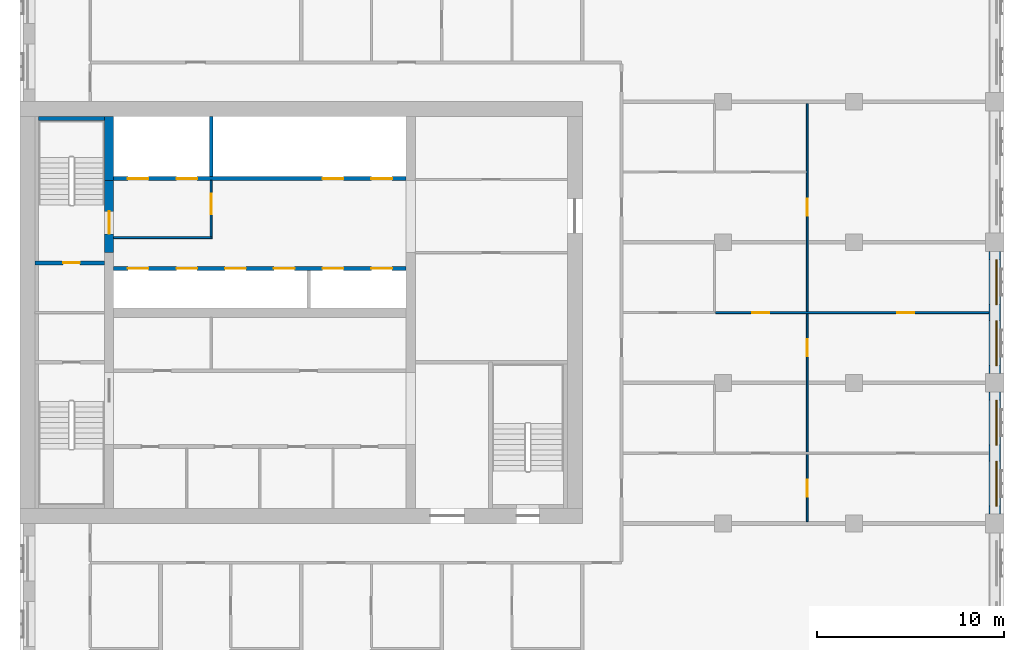
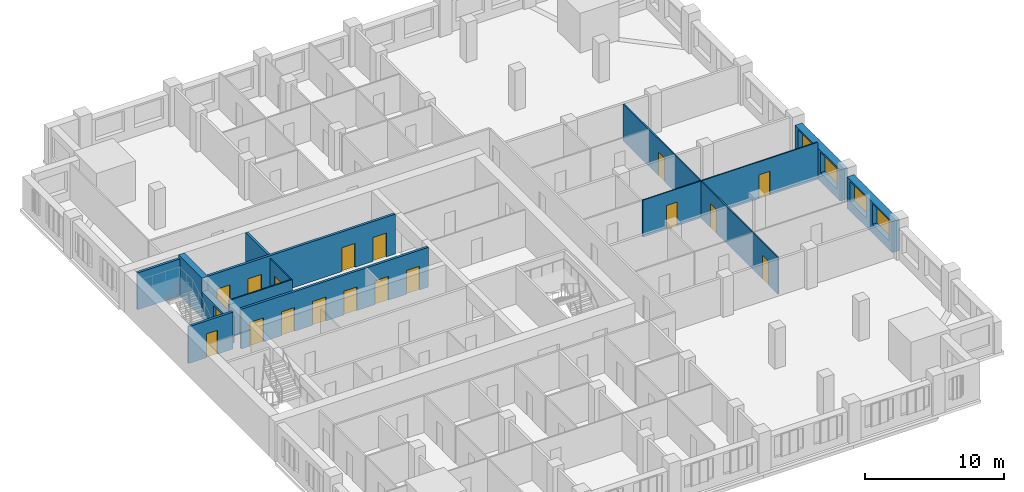
# One storey, part 9 of 14: 18 doors, 13 walls, 4 windows, 22 openings.
"""IFC4 building model written with IfcOpenShell, lengths in metres."""

from ifc_helpers import new_model, si_unit, direction, frame, frame_2d, origin, place, context, subcontext, project, spatial, rectangle, extrude, material, layer, layer_set, type_object, element, fill, save


model = new_model("IFC4")

# Units and contexts
model_context = context("Model", 3, precision=1e-05, world=origin(), true_north=direction((0.0, 1.0)))
body_context = subcontext(model_context, "Body", "Model", "MODEL_VIEW")
ifc_project = project(units=[si_unit("LENGTHUNIT", "METRE"), si_unit("AREAUNIT", "SQUARE_METRE"), si_unit("VOLUMEUNIT", "CUBIC_METRE"), si_unit("PLANEANGLEUNIT", "RADIAN"), si_unit("MASSUNIT", "GRAM", prefix="KILO")], contexts=[model_context])

# Site, building, storey
site_placement = place(None, origin())
site = spatial("IfcSite", under=ifc_project, at=site_placement, CompositionType="ELEMENT")
building_placement = place(site_placement, origin())
building = spatial("IfcBuilding", under=site, at=building_placement, Name="Tamorin Gate", CompositionType="ELEMENT")
storey_placement = place(building_placement, frame((0.0, 0.0, 200.199951171875)))
storey = spatial("IfcBuildingStorey", under=building, at=storey_placement, Name="L49", CompositionType="ELEMENT", Elevation=200.199951171875)

# Wall, openings, windows
ifc_material_1 = material(Name="Precast concrete C40/50", Category="concrete")
ifc_layer_1 = layer(ifc_material_1, 0.60009765625)
ifc_layer_set_1 = layer_set([ifc_layer_1], Name="Precast concrete C40/50")
wall_type_1 = type_object("IfcWallType", Name="Board-marked concrete facade panel 600", PredefinedType="SOLIDWALL", material=ifc_layer_set_1)
wall_1_placement = place(storey_placement, frame((82.0, 60.5, 0.0), z_axis=(0.0, 0.0, 1.0), x_axis=(0.0, 1.0, 0.0)))
wall_1 = element("IfcWall", 1, at=wall_1_placement, inside=storey, type_object=wall_type_1, Name="Facade panel", PredefinedType="SOLIDWALL", context=body_context, shape_type="SweptSolid", body=[
    extrude(rectangle(XDim=6.5, YDim=0.60009765625, at=frame_2d((3.25, 0.0))), origin(), (0.0, 0.0, 1.0), 2.75),
])
opening_1_placement = place(wall_1_placement, frame((0.425048828125, 0.0, 0.800048828125)))
opening_1 = element("IfcOpeningElement", 2, at=opening_1_placement, cuts=wall_1, Name="Opening WN1", PredefinedType="OPENING", context=body_context, shape_type="SweptSolid", body=[
    extrude(rectangle(XDim=2.39990234375, YDim=1.800048828125, at=frame_2d((1.199951171875, 0.89990234375))), frame((0.0, 0.31005859375, 0.0), z_axis=(0.0, -1.0, 0.0), x_axis=(1.0, 0.0, 0.0)), (0.0, 0.0, 1.0), 0.6201171875),
])
opening_2_placement = place(wall_1_placement, frame((3.675048828125, 0.0, 0.800048828125)))
opening_2 = element("IfcOpeningElement", 3, at=opening_2_placement, cuts=wall_1, Name="Opening WN1", PredefinedType="OPENING", context=body_context, shape_type="SweptSolid", body=[
    extrude(rectangle(XDim=2.39990234375, YDim=1.800048828125, at=frame_2d((1.199951171875, 0.89990234375))), frame((0.0, 0.31005859375, 0.0), z_axis=(0.0, -1.0, 0.0), x_axis=(1.0, 0.0, 0.0)), (0.0, 0.0, 1.0), 0.6201171875),
])
ifc_material_2 = material(Name="Clear glass in aluminium frame", Category="aluminium")
window_type = type_object("IfcWindowType", Name="Deep-set window 2400x1800", PartitioningType="SINGLE_PANEL", PredefinedType="WINDOW", material=ifc_material_2)
window_1_placement = place(opening_1_placement, origin())
window_1 = element("IfcWindow", 4, at=window_1_placement, inside=storey, type_object=window_type, Name="Deep-set window", OverallHeight=1.800048828125, OverallWidth=2.39990234375, PartitioningType="SINGLE_PANEL", PredefinedType="WINDOW", context=body_context, shape_type="SweptSolid", body=[
    extrude(rectangle(XDim=2.39990234375, YDim=1.800048828125, at=frame_2d((1.199951171875, 0.89990234375))), frame((0.0, -0.070068359375, 0.0), z_axis=(0.0, -1.0, 0.0), x_axis=(1.0, 0.0, 0.0)), (0.0, 0.0, 1.0), 0.06005859375),
])
fill(opening_1, window_1)
window_2_placement = place(opening_2_placement, origin())
window_2 = element("IfcWindow", 5, at=window_2_placement, inside=storey, type_object=window_type, Name="Deep-set window", OverallHeight=1.800048828125, OverallWidth=2.39990234375, PartitioningType="SINGLE_PANEL", PredefinedType="WINDOW", context=body_context, shape_type="SweptSolid", body=[
    extrude(rectangle(XDim=2.39990234375, YDim=1.800048828125, at=frame_2d((1.199951171875, 0.89990234375))), frame((0.0, -0.070068359375, 0.0), z_axis=(0.0, -1.0, 0.0), x_axis=(1.0, 0.0, 0.0)), (0.0, 0.0, 1.0), 0.06005859375),
])
fill(opening_2, window_2)

wall_2_placement = place(storey_placement, frame((82.0, 68.0, 0.0), z_axis=(0.0, 0.0, 1.0), x_axis=(0.0, 1.0, 0.0)))
wall_2 = element("IfcWall", 6, at=wall_2_placement, inside=storey, type_object=wall_type_1, Name="Facade panel", PredefinedType="SOLIDWALL", context=body_context, shape_type="SweptSolid", body=[
    extrude(rectangle(XDim=6.5, YDim=0.60009765625, at=frame_2d((3.25, 0.0))), origin(), (0.0, 0.0, 1.0), 2.75),
])
opening_3_placement = place(wall_2_placement, frame((0.425048828125, 0.0, 0.800048828125)))
opening_3 = element("IfcOpeningElement", 7, at=opening_3_placement, cuts=wall_2, Name="Opening WN1", PredefinedType="OPENING", context=body_context, shape_type="SweptSolid", body=[
    extrude(rectangle(XDim=2.39990234375, YDim=1.800048828125, at=frame_2d((1.199951171875, 0.89990234375))), frame((0.0, 0.31005859375, 0.0), z_axis=(0.0, -1.0, 0.0), x_axis=(1.0, 0.0, 0.0)), (0.0, 0.0, 1.0), 0.6201171875),
])
opening_4_placement = place(wall_2_placement, frame((3.675048828125, 0.0, 0.800048828125)))
opening_4 = element("IfcOpeningElement", 8, at=opening_4_placement, cuts=wall_2, Name="Opening WN1", PredefinedType="OPENING", context=body_context, shape_type="SweptSolid", body=[
    extrude(rectangle(XDim=2.39990234375, YDim=1.800048828125, at=frame_2d((1.199951171875, 0.89990234375))), frame((0.0, 0.31005859375, 0.0), z_axis=(0.0, -1.0, 0.0), x_axis=(1.0, 0.0, 0.0)), (0.0, 0.0, 1.0), 0.6201171875),
])
window_3_placement = place(opening_3_placement, origin())
window_3 = element("IfcWindow", 9, at=window_3_placement, inside=storey, type_object=window_type, Name="Deep-set window", OverallHeight=1.800048828125, OverallWidth=2.39990234375, PartitioningType="SINGLE_PANEL", PredefinedType="WINDOW", context=body_context, shape_type="SweptSolid", body=[
    extrude(rectangle(XDim=2.39990234375, YDim=1.800048828125, at=frame_2d((1.199951171875, 0.89990234375))), frame((0.0, -0.070068359375, 0.0), z_axis=(0.0, -1.0, 0.0), x_axis=(1.0, 0.0, 0.0)), (0.0, 0.0, 1.0), 0.06005859375),
])
fill(opening_3, window_3)
window_4_placement = place(opening_4_placement, origin())
window_4 = element("IfcWindow", 10, at=window_4_placement, inside=storey, type_object=window_type, Name="Deep-set window", OverallHeight=1.800048828125, OverallWidth=2.39990234375, PartitioningType="SINGLE_PANEL", PredefinedType="WINDOW", context=body_context, shape_type="SweptSolid", body=[
    extrude(rectangle(XDim=2.39990234375, YDim=1.800048828125, at=frame_2d((1.199951171875, 0.89990234375))), frame((0.0, -0.070068359375, 0.0), z_axis=(0.0, -1.0, 0.0), x_axis=(1.0, 0.0, 0.0)), (0.0, 0.0, 1.0), 0.06005859375),
])
fill(opening_4, window_4)

# Wall, openings, doors
ifc_material_3 = material(Name="Concrete C32/40", Category="concrete")
ifc_layer_2 = layer(ifc_material_3, 0.199951171875)
ifc_layer_set_2 = layer_set([ifc_layer_2], Name="Lift lobby face wall 200 EI 120")
wall_type_2 = type_object("IfcWallType", Name="Lift lobby face wall 200 EI 120", PredefinedType="SOLIDWALL", material=ifc_layer_set_2)
wall_3_placement = place(storey_placement, frame((35.0, 73.60009765625, 0.0), z_axis=(0.0, 0.0, 1.0), x_axis=(1.0, 0.0, 0.0)))
wall_3 = element("IfcWall", 11, at=wall_3_placement, inside=storey, type_object=wall_type_2, Name="Lift lobby face wall", PredefinedType="SOLIDWALL", context=body_context, shape_type="SweptSolid", body=[
    extrude(rectangle(XDim=15.60009765625, YDim=0.199951171875, at=frame_2d((7.800048828125, 0.0))), origin(), (0.0, 0.0, 1.0), 3.5),
])
opening_5_placement = place(wall_3_placement, frame((0.75, 0.0, 0.0)))
opening_5 = element("IfcOpeningElement", 12, at=opening_5_placement, cuts=wall_3, Name="Opening LD11", PredefinedType="OPENING", context=body_context, shape_type="SweptSolid", body=[
    extrude(rectangle(XDim=1.10009765625, YDim=2.10009765625, at=frame_2d((0.550048828125, 1.050048828125))), frame((0.0, 0.10986328125, 0.0), z_axis=(0.0, -1.0, 0.0), x_axis=(1.0, 0.0, 0.0)), (0.0, 0.0, 1.0), 0.219970703125),
])
opening_6_placement = place(wall_3_placement, frame((3.35009765625, 0.0, 0.0)))
opening_6 = element("IfcOpeningElement", 13, at=opening_6_placement, cuts=wall_3, Name="Opening LD12", PredefinedType="OPENING", context=body_context, shape_type="SweptSolid", body=[
    extrude(rectangle(XDim=1.10009765625, YDim=2.10009765625, at=frame_2d((0.550048828125, 1.050048828125))), frame((0.0, 0.10986328125, 0.0), z_axis=(0.0, -1.0, 0.0), x_axis=(1.0, 0.0, 0.0)), (0.0, 0.0, 1.0), 0.219970703125),
])
opening_7_placement = place(wall_3_placement, frame((5.949951171875, 0.0, 0.0)))
opening_7 = element("IfcOpeningElement", 14, at=opening_7_placement, cuts=wall_3, Name="Opening LD13", PredefinedType="OPENING", context=body_context, shape_type="SweptSolid", body=[
    extrude(rectangle(XDim=1.10009765625, YDim=2.10009765625, at=frame_2d((0.550048828125, 1.050048828125))), frame((0.0, 0.10986328125, 0.0), z_axis=(0.0, -1.0, 0.0), x_axis=(1.0, 0.0, 0.0)), (0.0, 0.0, 1.0), 0.219970703125),
])
opening_8_placement = place(wall_3_placement, frame((8.550048828125, 0.0, 0.0)))
opening_8 = element("IfcOpeningElement", 15, at=opening_8_placement, cuts=wall_3, Name="Opening LD14", PredefinedType="OPENING", context=body_context, shape_type="SweptSolid", body=[
    extrude(rectangle(XDim=1.10009765625, YDim=2.10009765625, at=frame_2d((0.550048828125, 1.050048828125))), frame((0.0, 0.10986328125, 0.0), z_axis=(0.0, -1.0, 0.0), x_axis=(1.0, 0.0, 0.0)), (0.0, 0.0, 1.0), 0.219970703125),
])
opening_9_placement = place(wall_3_placement, frame((11.14990234375, 0.0, 0.0)))
opening_9 = element("IfcOpeningElement", 16, at=opening_9_placement, cuts=wall_3, Name="Opening LD15", PredefinedType="OPENING", context=body_context, shape_type="SweptSolid", body=[
    extrude(rectangle(XDim=1.10009765625, YDim=2.10009765625, at=frame_2d((0.550048828125, 1.050048828125))), frame((0.0, 0.10986328125, 0.0), z_axis=(0.0, -1.0, 0.0), x_axis=(1.0, 0.0, 0.0)), (0.0, 0.0, 1.0), 0.219970703125),
])
opening_10_placement = place(wall_3_placement, frame((13.75, 0.0, 0.0)))
opening_10 = element("IfcOpeningElement", 17, at=opening_10_placement, cuts=wall_3, Name="Opening LD16", PredefinedType="OPENING", context=body_context, shape_type="SweptSolid", body=[
    extrude(rectangle(XDim=1.10009765625, YDim=2.10009765625, at=frame_2d((0.550048828125, 1.050048828125))), frame((0.0, 0.10986328125, 0.0), z_axis=(0.0, -1.0, 0.0), x_axis=(1.0, 0.0, 0.0)), (0.0, 0.0, 1.0), 0.219970703125),
])
ifc_material_4 = material(Name="Stainless steel sliding door", Category="steel")
door_type_1 = type_object("IfcDoorType", Name="Lift landing door 1100 x 2100 E 90", OperationType="DOUBLE_DOOR_SLIDING", PredefinedType="DOOR", material=ifc_material_4)
door_1_placement = place(opening_5_placement, origin())
door_1 = element("IfcDoor", 18, at=door_1_placement, inside=storey, type_object=door_type_1, Name="HR1 landing door", OperationType="DOUBLE_DOOR_SLIDING", OverallHeight=2.10009765625, OverallWidth=1.10009765625, PredefinedType="DOOR", context=body_context, shape_type="SweptSolid", body=[
    extrude(rectangle(XDim=1.10009765625, YDim=2.10009765625, at=frame_2d((0.550048828125, 1.050048828125))), frame((0.0, 0.02490234375, 0.0), z_axis=(0.0, -1.0, 0.0), x_axis=(1.0, 0.0, 0.0)), (0.0, 0.0, 1.0), 0.050048828125),
])
fill(opening_5, door_1)
door_2_placement = place(opening_6_placement, origin())
door_2 = element("IfcDoor", 19, at=door_2_placement, inside=storey, type_object=door_type_1, Name="HR2 landing door", OperationType="DOUBLE_DOOR_SLIDING", OverallHeight=2.10009765625, OverallWidth=1.10009765625, PredefinedType="DOOR", context=body_context, shape_type="SweptSolid", body=[
    extrude(rectangle(XDim=1.10009765625, YDim=2.10009765625, at=frame_2d((0.550048828125, 1.050048828125))), frame((0.0, 0.02490234375, 0.0), z_axis=(0.0, -1.0, 0.0), x_axis=(1.0, 0.0, 0.0)), (0.0, 0.0, 1.0), 0.050048828125),
])
fill(opening_6, door_2)
door_3_placement = place(opening_7_placement, origin())
door_3 = element("IfcDoor", 20, at=door_3_placement, inside=storey, type_object=door_type_1, Name="HR3 landing door", OperationType="DOUBLE_DOOR_SLIDING", OverallHeight=2.10009765625, OverallWidth=1.10009765625, PredefinedType="DOOR", context=body_context, shape_type="SweptSolid", body=[
    extrude(rectangle(XDim=1.10009765625, YDim=2.10009765625, at=frame_2d((0.550048828125, 1.050048828125))), frame((0.0, 0.02490234375, 0.0), z_axis=(0.0, -1.0, 0.0), x_axis=(1.0, 0.0, 0.0)), (0.0, 0.0, 1.0), 0.050048828125),
])
fill(opening_7, door_3)
door_4_placement = place(opening_8_placement, origin())
door_4 = element("IfcDoor", 21, at=door_4_placement, inside=storey, type_object=door_type_1, Name="HR4 landing door", OperationType="DOUBLE_DOOR_SLIDING", OverallHeight=2.10009765625, OverallWidth=1.10009765625, PredefinedType="DOOR", context=body_context, shape_type="SweptSolid", body=[
    extrude(rectangle(XDim=1.10009765625, YDim=2.10009765625, at=frame_2d((0.550048828125, 1.050048828125))), frame((0.0, 0.02490234375, 0.0), z_axis=(0.0, -1.0, 0.0), x_axis=(1.0, 0.0, 0.0)), (0.0, 0.0, 1.0), 0.050048828125),
])
fill(opening_8, door_4)
door_5_placement = place(opening_9_placement, origin())
door_5 = element("IfcDoor", 22, at=door_5_placement, inside=storey, type_object=door_type_1, Name="HR5 landing door", OperationType="DOUBLE_DOOR_SLIDING", OverallHeight=2.10009765625, OverallWidth=1.10009765625, PredefinedType="DOOR", context=body_context, shape_type="SweptSolid", body=[
    extrude(rectangle(XDim=1.10009765625, YDim=2.10009765625, at=frame_2d((0.550048828125, 1.050048828125))), frame((0.0, 0.02490234375, 0.0), z_axis=(0.0, -1.0, 0.0), x_axis=(1.0, 0.0, 0.0)), (0.0, 0.0, 1.0), 0.050048828125),
])
fill(opening_9, door_5)
door_6_placement = place(opening_10_placement, origin())
door_6 = element("IfcDoor", 23, at=door_6_placement, inside=storey, type_object=door_type_1, Name="HR6 landing door", OperationType="DOUBLE_DOOR_SLIDING", OverallHeight=2.10009765625, OverallWidth=1.10009765625, PredefinedType="DOOR", context=body_context, shape_type="SweptSolid", body=[
    extrude(rectangle(XDim=1.10009765625, YDim=2.10009765625, at=frame_2d((0.550048828125, 1.050048828125))), frame((0.0, 0.02490234375, 0.0), z_axis=(0.0, -1.0, 0.0), x_axis=(1.0, 0.0, 0.0)), (0.0, 0.0, 1.0), 0.050048828125),
])
fill(opening_10, door_6)

wall_4_placement = place(storey_placement, frame((35.0, 78.39990234375, 0.0), z_axis=(0.0, 0.0, 1.0), x_axis=(1.0, 0.0, 0.0)))
wall_4 = element("IfcWall", 24, at=wall_4_placement, inside=storey, type_object=wall_type_2, Name="Lift lobby face wall", PredefinedType="SOLIDWALL", context=body_context, shape_type="SweptSolid", body=[
    extrude(rectangle(XDim=15.60009765625, YDim=0.199951171875, at=frame_2d((7.800048828125, 0.0))), origin(), (0.0, 0.0, 1.0), 3.5),
])
opening_11_placement = place(wall_4_placement, frame((0.75, 0.0, 0.0)))
opening_11 = element("IfcOpeningElement", 25, at=opening_11_placement, cuts=wall_4, Name="Opening LD17", PredefinedType="OPENING", context=body_context, shape_type="SweptSolid", body=[
    extrude(rectangle(XDim=1.10009765625, YDim=2.10009765625, at=frame_2d((0.550048828125, 1.050048828125))), frame((0.0, 0.10986328125, 0.0), z_axis=(0.0, -1.0, 0.0), x_axis=(1.0, 0.0, 0.0)), (0.0, 0.0, 1.0), 0.219970703125),
])
opening_12_placement = place(wall_4_placement, frame((3.35009765625, 0.0, 0.0)))
opening_12 = element("IfcOpeningElement", 26, at=opening_12_placement, cuts=wall_4, Name="Opening LD18", PredefinedType="OPENING", context=body_context, shape_type="SweptSolid", body=[
    extrude(rectangle(XDim=1.10009765625, YDim=2.10009765625, at=frame_2d((0.550048828125, 1.050048828125))), frame((0.0, 0.10986328125, 0.0), z_axis=(0.0, -1.0, 0.0), x_axis=(1.0, 0.0, 0.0)), (0.0, 0.0, 1.0), 0.219970703125),
])
opening_13_placement = place(wall_4_placement, frame((11.14990234375, 0.0, 0.0)))
opening_13 = element("IfcOpeningElement", 27, at=opening_13_placement, cuts=wall_4, Name="Opening LD21", PredefinedType="OPENING", context=body_context, shape_type="SweptSolid", body=[
    extrude(rectangle(XDim=1.10009765625, YDim=2.10009765625, at=frame_2d((0.550048828125, 1.050048828125))), frame((0.0, 0.10986328125, 0.0), z_axis=(0.0, -1.0, 0.0), x_axis=(1.0, 0.0, 0.0)), (0.0, 0.0, 1.0), 0.219970703125),
])
opening_14_placement = place(wall_4_placement, frame((13.75, 0.0, 0.0)))
opening_14 = element("IfcOpeningElement", 28, at=opening_14_placement, cuts=wall_4, Name="Opening LD22", PredefinedType="OPENING", context=body_context, shape_type="SweptSolid", body=[
    extrude(rectangle(XDim=1.10009765625, YDim=2.10009765625, at=frame_2d((0.550048828125, 1.050048828125))), frame((0.0, 0.10986328125, 0.0), z_axis=(0.0, -1.0, 0.0), x_axis=(1.0, 0.0, 0.0)), (0.0, 0.0, 1.0), 0.219970703125),
])
door_7_placement = place(opening_11_placement, origin())
door_7 = element("IfcDoor", 29, at=door_7_placement, inside=storey, type_object=door_type_1, Name="FF1 landing door", OperationType="DOUBLE_DOOR_SLIDING", OverallHeight=2.10009765625, OverallWidth=1.10009765625, PredefinedType="DOOR", context=body_context, shape_type="SweptSolid", body=[
    extrude(rectangle(XDim=1.10009765625, YDim=2.10009765625, at=frame_2d((0.550048828125, 1.050048828125))), frame((0.0, 0.02490234375, 0.0), z_axis=(0.0, -1.0, 0.0), x_axis=(1.0, 0.0, 0.0)), (0.0, 0.0, 1.0), 0.050048828125),
])
fill(opening_11, door_7)
door_8_placement = place(opening_12_placement, origin())
door_8 = element("IfcDoor", 30, at=door_8_placement, inside=storey, type_object=door_type_1, Name="FF2 landing door", OperationType="DOUBLE_DOOR_SLIDING", OverallHeight=2.10009765625, OverallWidth=1.10009765625, PredefinedType="DOOR", context=body_context, shape_type="SweptSolid", body=[
    extrude(rectangle(XDim=1.10009765625, YDim=2.10009765625, at=frame_2d((0.550048828125, 1.050048828125))), frame((0.0, 0.02490234375, 0.0), z_axis=(0.0, -1.0, 0.0), x_axis=(1.0, 0.0, 0.0)), (0.0, 0.0, 1.0), 0.050048828125),
])
fill(opening_12, door_8)
door_9_placement = place(opening_13_placement, origin())
door_9 = element("IfcDoor", 31, at=door_9_placement, inside=storey, type_object=door_type_1, Name="SV1 landing door", OperationType="DOUBLE_DOOR_SLIDING", OverallHeight=2.10009765625, OverallWidth=1.10009765625, PredefinedType="DOOR", context=body_context, shape_type="SweptSolid", body=[
    extrude(rectangle(XDim=1.10009765625, YDim=2.10009765625, at=frame_2d((0.550048828125, 1.050048828125))), frame((0.0, 0.02490234375, 0.0), z_axis=(0.0, -1.0, 0.0), x_axis=(1.0, 0.0, 0.0)), (0.0, 0.0, 1.0), 0.050048828125),
])
fill(opening_13, door_9)
door_10_placement = place(opening_14_placement, origin())
door_10 = element("IfcDoor", 32, at=door_10_placement, inside=storey, type_object=door_type_1, Name="SV2 landing door", OperationType="DOUBLE_DOOR_SLIDING", OverallHeight=2.10009765625, OverallWidth=1.10009765625, PredefinedType="DOOR", context=body_context, shape_type="SweptSolid", body=[
    extrude(rectangle(XDim=1.10009765625, YDim=2.10009765625, at=frame_2d((0.550048828125, 1.050048828125))), frame((0.0, 0.02490234375, 0.0), z_axis=(0.0, -1.0, 0.0), x_axis=(1.0, 0.0, 0.0)), (0.0, 0.0, 1.0), 0.050048828125),
])
fill(opening_14, door_10)

# Walls
ifc_layer_3 = layer(ifc_material_3, 0.199951171875)
ifc_layer_set_3 = layer_set([ifc_layer_3], Name="Lift shaft wall 200 EI 120")
wall_type_3 = type_object("IfcWallType", Name="Lift shaft wall 200 EI 120", PredefinedType="SOLIDWALL", material=ifc_layer_set_3)
wall_5_placement = place(storey_placement, frame((40.199951171875, 78.5, 0.0), z_axis=(0.0, 0.0, 1.0), x_axis=(0.0, 1.0, 0.0)))
element("IfcWall", 33, at=wall_5_placement, inside=storey, type_object=wall_type_3, Name="Lift shaft wall", PredefinedType="SOLIDWALL", context=body_context, shape_type="SweptSolid", body=[
    extrude(rectangle(XDim=3.199951171875, YDim=0.199951171875, at=frame_2d((1.60009765625, 0.0))), origin(), (0.0, 0.0, 1.0), 3.5),
])
ifc_material_5 = material(Name="Fire-rated gypsum board partition")
ifc_layer_4 = layer(ifc_material_5, 0.10009765625)
ifc_layer_set_4 = layer_set([ifc_layer_4], Name="Lobby wall 100 EI 60")
wall_type_4 = type_object("IfcWallType", Name="Lobby wall 100 EI 60", PredefinedType="PARTITIONING", material=ifc_layer_set_4)
wall_6_placement = place(storey_placement, frame((35.0, 75.25, 0.0), z_axis=(0.0, 0.0, 1.0), x_axis=(1.0, 0.0, 0.0)))
element("IfcWall", 34, at=wall_6_placement, inside=storey, type_object=wall_type_4, Name="Firefighting lobby wall", PredefinedType="PARTITIONING", context=body_context, shape_type="SweptSolid", body=[
    extrude(rectangle(XDim=5.25, YDim=0.10009765625, at=frame_2d((2.625, 0.0))), origin(), (0.0, 0.0, 1.0), 3.25),
])

# Wall, opening, door
wall_7_placement = place(storey_placement, frame((40.199951171875, 75.300048828125, 0.0), z_axis=(0.0, 0.0, 1.0), x_axis=(0.0, 1.0, 0.0)))
wall_7 = element("IfcWall", 35, at=wall_7_placement, inside=storey, type_object=wall_type_4, Name="Firefighting lobby wall", PredefinedType="PARTITIONING", context=body_context, shape_type="SweptSolid", body=[
    extrude(rectangle(XDim=3.0, YDim=0.10009765625, at=frame_2d((1.5, 0.0))), origin(), (0.0, 0.0, 1.0), 3.25),
])
opening_15_placement = place(wall_7_placement, frame((1.199951171875, 0.0, 0.0)))
opening_15 = element("IfcOpeningElement", 36, at=opening_15_placement, cuts=wall_7, Name="Opening DF1", PredefinedType="OPENING", context=body_context, shape_type="SweptSolid", body=[
    extrude(rectangle(XDim=1.10009765625, YDim=2.10009765625, at=frame_2d((0.550048828125, 1.050048828125))), frame((0.0, 0.06005859375, 0.0), z_axis=(0.0, -1.0, 0.0), x_axis=(1.0, 0.0, 0.0)), (0.0, 0.0, 1.0), 0.1201171875),
])
ifc_material_6 = material(Name="Steel fire door", Category="steel")
door_type_2 = type_object("IfcDoorType", Name="Firefighting lobby door 1100 x 2100 EI 90", OperationType="SINGLE_SWING_LEFT", PredefinedType="DOOR", material=ifc_material_6)
door_11_placement = place(opening_15_placement, origin())
door_11 = element("IfcDoor", 37, at=door_11_placement, inside=storey, type_object=door_type_2, Name="Firefighting lobby door", OperationType="SINGLE_SWING_LEFT", OverallHeight=2.10009765625, OverallWidth=1.10009765625, PredefinedType="DOOR", context=body_context, shape_type="SweptSolid", body=[
    extrude(rectangle(XDim=1.10009765625, YDim=2.10009765625, at=frame_2d((0.550048828125, 1.050048828125))), frame((0.0, 0.02490234375, 0.0), z_axis=(0.0, -1.0, 0.0), x_axis=(1.0, 0.0, 0.0)), (0.0, 0.0, 1.0), 0.050048828125),
])
fill(opening_15, door_11)

# Wall
ifc_material_7 = material(Name="Concrete C60/75", Category="concrete")
ifc_layer_5 = layer(ifc_material_7, 0.5)
ifc_layer_set_5 = layer_set([ifc_layer_5], Name="RC core internal wall 500 C60/75")
wall_type_5 = type_object("IfcWallType", Name="RC core internal wall 500 C60/75", PredefinedType="SHEAR", material=ifc_layer_set_5)
wall_8_placement = place(storey_placement, frame((34.75, 78.300048828125, 0.0), z_axis=(0.0, 0.0, 1.0), x_axis=(0.0, 1.0, 0.0)))
element("IfcWall", 38, at=wall_8_placement, inside=storey, type_object=wall_type_5, Name="Core cross wall L49", PredefinedType="SHEAR", context=body_context, shape_type="SweptSolid", body=[
    extrude(rectangle(XDim=3.39990234375, YDim=0.5, at=frame_2d((1.699951171875, 0.0))), origin(), (0.0, 0.0, 1.0), 3.5),
])

# Wall, openings, doors
ifc_material_8 = material(Name="Gypsum board partition")
ifc_layer_6 = layer(ifc_material_8, 0.10009765625)
ifc_layer_set_6 = layer_set([ifc_layer_6], Name="Room partition 100")
wall_type_6 = type_object("IfcWallType", Name="Room partition 100", PredefinedType="PARTITIONING", material=ifc_layer_set_6)
wall_9_placement = place(storey_placement, frame((67.112548828125, 71.25, 0.0), z_axis=(0.0, 0.0, 1.0), x_axis=(1.0, 0.0, 0.0)))
wall_9 = element("IfcWall", 39, at=wall_9_placement, inside=storey, type_object=wall_type_6, Name="Room partition 100", PredefinedType="PARTITIONING", context=body_context, shape_type="SweptSolid", body=[
    extrude(rectangle(XDim=14.577392578125, YDim=0.10009765625, at=frame_2d((7.28857421875, 0.0))), origin(), (0.0, 0.0, 1.0), 3.25),
])
opening_16_placement = place(wall_9_placement, frame((1.96240234375, 0.0, 0.0)))
opening_16 = element("IfcOpeningElement", 40, at=opening_16_placement, cuts=wall_9, Name="Opening DR3041", PredefinedType="OPENING", context=body_context, shape_type="SweptSolid", body=[
    extrude(rectangle(XDim=0.89990234375, YDim=2.10009765625, at=frame_2d((0.449951171875, 1.050048828125))), frame((0.0, 0.06005859375, 0.0), z_axis=(0.0, -1.0, 0.0), x_axis=(1.0, 0.0, 0.0)), (0.0, 0.0, 1.0), 0.1201171875),
])
opening_17_placement = place(wall_9_placement, frame((9.6875, 0.0, 0.0)))
opening_17 = element("IfcOpeningElement", 41, at=opening_17_placement, cuts=wall_9, Name="Opening DR3043", PredefinedType="OPENING", context=body_context, shape_type="SweptSolid", body=[
    extrude(rectangle(XDim=0.89990234375, YDim=2.10009765625, at=frame_2d((0.449951171875, 1.050048828125))), frame((0.0, 0.06005859375, 0.0), z_axis=(0.0, -1.0, 0.0), x_axis=(1.0, 0.0, 0.0)), (0.0, 0.0, 1.0), 0.1201171875),
])
ifc_material_9 = material(Name="Timber door leaf", Category="wood")
door_type_3 = type_object("IfcDoorType", Name="Door 900 x 2100", OperationType="NOTDEFINED", PredefinedType="DOOR", material=ifc_material_9)
door_12_placement = place(opening_16_placement, origin())
door_12 = element("IfcDoor", 42, at=door_12_placement, inside=storey, type_object=door_type_3, Name="Door DR3041", OperationType="SINGLE_SWING_LEFT", OverallHeight=2.10009765625, OverallWidth=0.89990234375, PredefinedType="DOOR", context=body_context, shape_type="SweptSolid", body=[
    extrude(rectangle(XDim=0.89990234375, YDim=2.10009765625, at=frame_2d((0.449951171875, 1.050048828125))), frame((0.0, 0.02490234375, 0.0), z_axis=(0.0, -1.0, 0.0), x_axis=(1.0, 0.0, 0.0)), (0.0, 0.0, 1.0), 0.050048828125),
])
fill(opening_16, door_12)
door_13_placement = place(opening_17_placement, origin())
door_13 = element("IfcDoor", 43, at=door_13_placement, inside=storey, type_object=door_type_3, Name="Door DR3043", OperationType="SINGLE_SWING_RIGHT", OverallHeight=2.10009765625, OverallWidth=0.89990234375, PredefinedType="DOOR", context=body_context, shape_type="SweptSolid", body=[
    extrude(rectangle(XDim=0.89990234375, YDim=2.10009765625, at=frame_2d((0.449951171875, 1.050048828125))), frame((0.0, 0.02490234375, 0.0), z_axis=(0.0, -1.0, 0.0), x_axis=(1.0, 0.0, 0.0)), (0.0, 0.0, 1.0), 0.050048828125),
])
fill(opening_17, door_13)

wall_10_placement = place(storey_placement, frame((72.0, 60.10009765625, 0.0), z_axis=(0.0, 0.0, 1.0), x_axis=(0.0, 1.0, 0.0)))
wall_10 = element("IfcWall", 44, at=wall_10_placement, inside=storey, type_object=wall_type_6, Name="Room partition 100", PredefinedType="PARTITIONING", context=body_context, shape_type="SweptSolid", body=[
    extrude(rectangle(XDim=22.2998046875, YDim=0.10009765625, at=frame_2d((11.14990234375, 0.0))), origin(), (0.0, 0.0, 1.0), 3.25),
])
opening_18_placement = place(wall_10_placement, frame((1.324951171875, 0.0, 0.0)))
opening_18 = element("IfcOpeningElement", 45, at=opening_18_placement, cuts=wall_10, Name="Opening DR3035", PredefinedType="OPENING", context=body_context, shape_type="SweptSolid", body=[
    extrude(rectangle(XDim=0.89990234375, YDim=2.10009765625, at=frame_2d((0.449951171875, 1.050048828125))), frame((0.0, 0.06005859375, 0.0), z_axis=(0.0, -1.0, 0.0), x_axis=(1.0, 0.0, 0.0)), (0.0, 0.0, 1.0), 0.1201171875),
])
opening_19_placement = place(wall_10_placement, frame((8.824951171875, 0.0, 0.0)))
opening_19 = element("IfcOpeningElement", 46, at=opening_19_placement, cuts=wall_10, Name="Opening DR3040", PredefinedType="OPENING", context=body_context, shape_type="SweptSolid", body=[
    extrude(rectangle(XDim=0.89990234375, YDim=2.10009765625, at=frame_2d((0.449951171875, 1.050048828125))), frame((0.0, 0.06005859375, 0.0), z_axis=(0.0, -1.0, 0.0), x_axis=(1.0, 0.0, 0.0)), (0.0, 0.0, 1.0), 0.1201171875),
])
opening_20_placement = place(wall_10_placement, frame((16.324951171875, 0.0, 0.0)))
opening_20 = element("IfcOpeningElement", 47, at=opening_20_placement, cuts=wall_10, Name="Opening DR3045", PredefinedType="OPENING", context=body_context, shape_type="SweptSolid", body=[
    extrude(rectangle(XDim=0.89990234375, YDim=2.10009765625, at=frame_2d((0.449951171875, 1.050048828125))), frame((0.0, 0.06005859375, 0.0), z_axis=(0.0, -1.0, 0.0), x_axis=(1.0, 0.0, 0.0)), (0.0, 0.0, 1.0), 0.1201171875),
])
door_14_placement = place(opening_18_placement, origin())
door_14 = element("IfcDoor", 48, at=door_14_placement, inside=storey, type_object=door_type_3, Name="Door DR3035", OperationType="SINGLE_SWING_LEFT", OverallHeight=2.10009765625, OverallWidth=0.89990234375, PredefinedType="DOOR", context=body_context, shape_type="SweptSolid", body=[
    extrude(rectangle(XDim=0.89990234375, YDim=2.10009765625, at=frame_2d((0.449951171875, 1.050048828125))), frame((0.0, 0.02490234375, 0.0), z_axis=(0.0, -1.0, 0.0), x_axis=(1.0, 0.0, 0.0)), (0.0, 0.0, 1.0), 0.050048828125),
])
fill(opening_18, door_14)
door_15_placement = place(opening_19_placement, origin())
door_15 = element("IfcDoor", 49, at=door_15_placement, inside=storey, type_object=door_type_3, Name="Door DR3040", OperationType="SINGLE_SWING_LEFT", OverallHeight=2.10009765625, OverallWidth=0.89990234375, PredefinedType="DOOR", context=body_context, shape_type="SweptSolid", body=[
    extrude(rectangle(XDim=0.89990234375, YDim=2.10009765625, at=frame_2d((0.449951171875, 1.050048828125))), frame((0.0, 0.02490234375, 0.0), z_axis=(0.0, -1.0, 0.0), x_axis=(1.0, 0.0, 0.0)), (0.0, 0.0, 1.0), 0.050048828125),
])
fill(opening_19, door_15)
door_16_placement = place(opening_20_placement, origin())
door_16 = element("IfcDoor", 50, at=door_16_placement, inside=storey, type_object=door_type_3, Name="Door DR3045", OperationType="SINGLE_SWING_LEFT", OverallHeight=2.10009765625, OverallWidth=0.89990234375, PredefinedType="DOOR", context=body_context, shape_type="SweptSolid", body=[
    extrude(rectangle(XDim=0.89990234375, YDim=2.10009765625, at=frame_2d((0.449951171875, 1.050048828125))), frame((0.0, 0.02490234375, 0.0), z_axis=(0.0, -1.0, 0.0), x_axis=(1.0, 0.0, 0.0)), (0.0, 0.0, 1.0), 0.050048828125),
])
fill(opening_20, door_16)

# Wall, opening, door
ifc_material_10 = material(Name="Concrete C40/50", Category="concrete")
ifc_layer_7 = layer(ifc_material_10, 0.199951171875)
ifc_layer_set_7 = layer_set([ifc_layer_7], Name="Stair enclosure wall 200 EI 120 C40/50")
wall_type_7 = type_object("IfcWallType", Name="Stair enclosure wall 200 EI 120 C40/50", PredefinedType="SOLIDWALL", material=ifc_layer_set_7)
wall_11_placement = place(storey_placement, frame((30.800048828125, 73.89990234375, 0.0), z_axis=(0.0, 0.0, 1.0), x_axis=(1.0, 0.0, 0.0)))
wall_11 = element("IfcWall", 51, at=wall_11_placement, inside=storey, type_object=wall_type_7, Name="Stair enclosure wall", PredefinedType="SOLIDWALL", context=body_context, shape_type="SweptSolid", body=[
    extrude(rectangle(XDim=3.699951171875, YDim=0.199951171875, at=frame_2d((1.85009765625, 0.0))), origin(), (0.0, 0.0, 1.0), 3.25),
])
opening_21_placement = place(wall_11_placement, frame((1.5, 0.0, 0.0)))
opening_21 = element("IfcOpeningElement", 52, at=opening_21_placement, cuts=wall_11, Name="Opening DR1", PredefinedType="OPENING", context=body_context, shape_type="SweptSolid", body=[
    extrude(rectangle(XDim=0.89990234375, YDim=2.10009765625, at=frame_2d((0.449951171875, 1.050048828125))), frame((0.0, 0.10986328125, 0.0), z_axis=(0.0, -1.0, 0.0), x_axis=(1.0, 0.0, 0.0)), (0.0, 0.0, 1.0), 0.219970703125),
])
door_type_4 = type_object("IfcDoorType", Name="Riser access door 900 x 2100 EI 120", OperationType="SINGLE_SWING_LEFT", PredefinedType="DOOR", material=ifc_material_6)
door_17_placement = place(opening_21_placement, origin())
door_17 = element("IfcDoor", 53, at=door_17_placement, inside=storey, type_object=door_type_4, Name="Communications riser door", OperationType="SINGLE_SWING_RIGHT", OverallHeight=2.10009765625, OverallWidth=0.89990234375, PredefinedType="DOOR", context=body_context, shape_type="SweptSolid", body=[
    extrude(rectangle(XDim=0.89990234375, YDim=2.10009765625, at=frame_2d((0.449951171875, 1.050048828125))), frame((0.0, 0.02490234375, 0.0), z_axis=(0.0, -1.0, 0.0), x_axis=(1.0, 0.0, 0.0)), (0.0, 0.0, 1.0), 0.050048828125),
])
fill(opening_21, door_17)

# Wall
ifc_layer_8 = layer(ifc_material_7, 0.199951171875)
ifc_layer_set_8 = layer_set([ifc_layer_8], Name="Stair lining wall 200 EI 120 C60/75")
wall_type_8 = type_object("IfcWallType", Name="Stair lining wall 200 EI 120 C60/75", PredefinedType="SOLIDWALL", material=ifc_layer_set_8)
wall_12_placement = place(storey_placement, frame((31.0, 81.60009765625, 0.0), z_axis=(0.0, 0.0, 1.0), x_axis=(1.0, 0.0, 0.0)))
element("IfcWall", 54, at=wall_12_placement, inside=storey, type_object=wall_type_8, Name="Stair lining wall", PredefinedType="SOLIDWALL", context=body_context, shape_type="SweptSolid", body=[
    extrude(rectangle(XDim=3.5, YDim=0.199951171875, at=frame_2d((1.75, 0.0))), origin(), (0.0, 0.0, 1.0), 3.25),
])

# Wall, opening, door
ifc_layer_9 = layer(ifc_material_3, 0.5)
ifc_layer_set_9 = layer_set([ifc_layer_9], Name="Stair lobby infill wall 500 EI 120")
wall_type_9 = type_object("IfcWallType", Name="Stair lobby infill wall 500 EI 120", PredefinedType="SOLIDWALL", material=ifc_layer_set_9)
wall_13_placement = place(storey_placement, frame((34.75, 74.449951171875, 0.0), z_axis=(0.0, 0.0, 1.0), x_axis=(0.0, 1.0, 0.0)))
wall_13 = element("IfcWall", 55, at=wall_13_placement, inside=storey, type_object=wall_type_9, Name="Stair lobby infill wall", PredefinedType="SOLIDWALL", context=body_context, shape_type="SweptSolid", body=[
    extrude(rectangle(XDim=3.85009765625, YDim=0.5, at=frame_2d((1.925048828125, 0.0))), origin(), (0.0, 0.0, 1.0), 2.300048828125),
])
opening_22_placement = place(wall_13_placement, frame((1.0, 0.0, 0.0)))
opening_22 = element("IfcOpeningElement", 56, at=opening_22_placement, cuts=wall_13, Name="Opening DS1", PredefinedType="OPENING", context=body_context, shape_type="SweptSolid", body=[
    extrude(rectangle(XDim=1.199951171875, YDim=2.10009765625, at=frame_2d((0.60009765625, 1.050048828125))), frame((0.0, 0.260009765625, 0.0), z_axis=(0.0, -1.0, 0.0), x_axis=(1.0, 0.0, 0.0)), (0.0, 0.0, 1.0), 0.52001953125),
])
door_type_5 = type_object("IfcDoorType", Name="Stair door 1200 x 2100 EI 90", OperationType="SINGLE_SWING_LEFT", PredefinedType="DOOR", material=ifc_material_6)
door_18_placement = place(opening_22_placement, origin())
door_18 = element("IfcDoor", 57, at=door_18_placement, inside=storey, type_object=door_type_5, Name="ST2 door", OperationType="SINGLE_SWING_RIGHT", OverallHeight=2.10009765625, OverallWidth=1.199951171875, PredefinedType="DOOR", context=body_context, shape_type="SweptSolid", body=[
    extrude(rectangle(XDim=1.199951171875, YDim=2.10009765625, at=frame_2d((0.60009765625, 1.050048828125))), frame((0.0, 0.02490234375, 0.0), z_axis=(0.0, -1.0, 0.0), x_axis=(1.0, 0.0, 0.0)), (0.0, 0.0, 1.0), 0.050048828125),
])
fill(opening_22, door_18)

save(model, "model.ifc")
